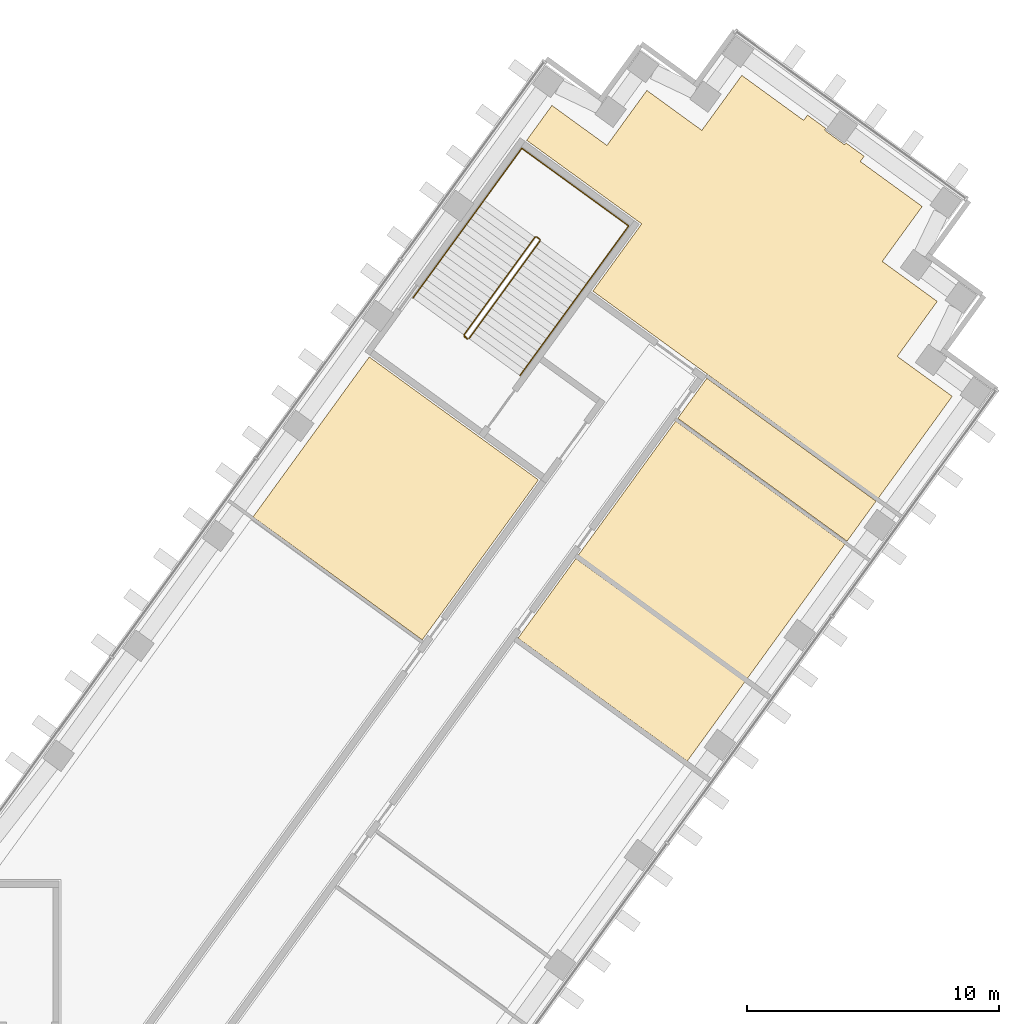
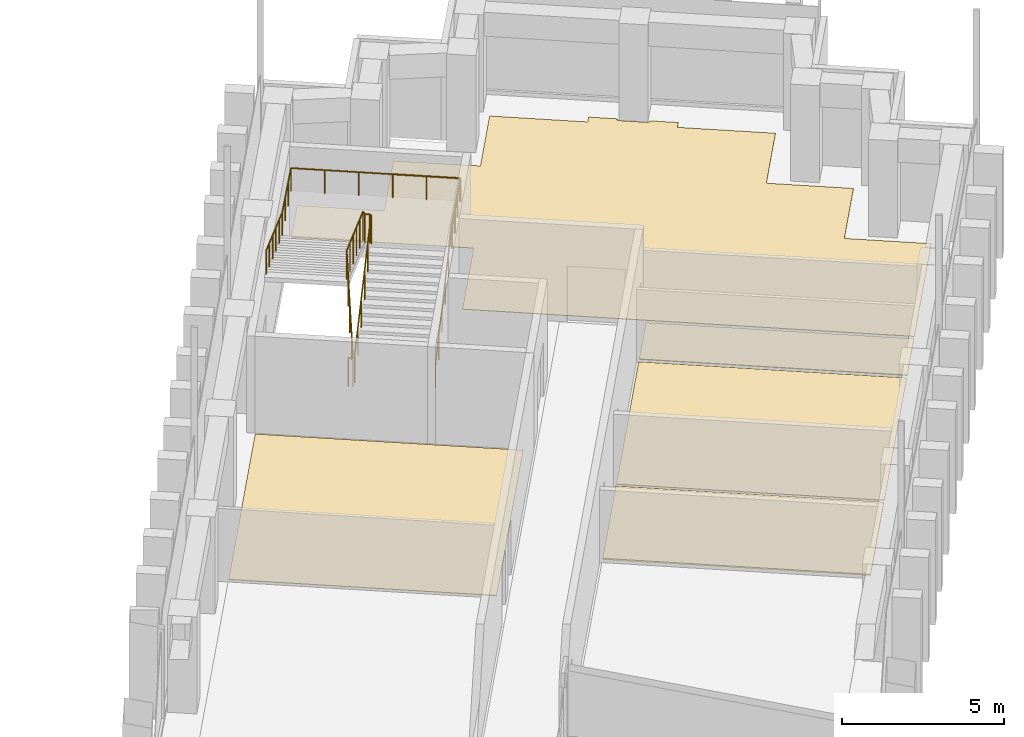
# One storey, part 19 of 19: 5 coverings, 2 railings.
"""IFC4 building model written with IfcOpenShell, lengths in metres."""

from ifc_helpers import new_model, si_unit, direction, frame, origin, origin_2d, place, context, subcontext, project, spatial, polyline, circle, outline, extrude, material, layer, layer_set, type_object, element, save


model = new_model("IFC4")

# Units and contexts
model_context = context("Model", 3, precision=1e-05, world=origin(), true_north=direction((0.0, 1.0)))
body_context = subcontext(model_context, "Body", "Model", "MODEL_VIEW")
ifc_project = project(units=[si_unit("LENGTHUNIT", "METRE"), si_unit("AREAUNIT", "SQUARE_METRE"), si_unit("VOLUMEUNIT", "CUBIC_METRE"), si_unit("PLANEANGLEUNIT", "RADIAN"), si_unit("MASSUNIT", "GRAM", prefix="KILO")], contexts=[model_context])

# Site, building, storey
site_placement = place(None, origin())
site = spatial("IfcSite", under=ifc_project, at=site_placement, CompositionType="ELEMENT")
building_placement = place(site_placement, origin())
building = spatial("IfcBuilding", under=site, at=building_placement, Name="Quipu Civic Tower", CompositionType="ELEMENT")
storey_placement = place(building_placement, frame((0.0, 0.0, 35.0)))
storey = spatial("IfcBuildingStorey", under=building, at=storey_placement, Name="L07", CompositionType="ELEMENT", Elevation=35.0)

# Coverings
ifc_material_1 = material(Name="Carpet tile on raised access floor")
ifc_layer_1 = layer(ifc_material_1, 0.02001953125)
ifc_layer_set_1 = layer_set([ifc_layer_1], Name="Carpet tile on raised access floor")
covering_type_1 = type_object("IfcCoveringType", Name="Carpet tile floor finish 20", PredefinedType="FLOORING", material=ifc_layer_set_1)
covering_1_placement = place(storey_placement, origin())
element("IfcCovering", 1, at=covering_1_placement, inside=storey, type_object=covering_type_1, Name="Carpet tile floor finish 20", PredefinedType="FLOORING", context=body_context, shape_type="SweptSolid", body=[
    extrude(outline(polyline([(25.698974609375, 24.56689453125), (30.31494140625, 30.922119140625), (37.0380859375, 26.0380859375), (32.422119140625, 19.68310546875), (25.698974609375, 24.56689453125)])), origin(), (0.0, 0.0, 1.0), 0.02001953125),
])
covering_2_placement = place(storey_placement, origin())
element("IfcCovering", 2, at=covering_2_placement, inside=storey, type_object=covering_type_1, Name="Carpet tile floor finish 20", PredefinedType="FLOORING", context=body_context, shape_type="SweptSolid", body=[
    extrude(outline(polyline([(38.60791015625, 23.02490234375), (42.491943359375, 28.373046875), (49.216064453125, 23.489013671875), (45.3310546875, 18.14111328125), (38.60791015625, 23.02490234375)])), origin(), (0.0, 0.0, 1.0), 0.02001953125),
])
covering_3_placement = place(storey_placement, origin())
element("IfcCovering", 3, at=covering_3_placement, inside=storey, type_object=covering_type_1, Name="Carpet tile floor finish 20", PredefinedType="FLOORING", context=body_context, shape_type="SweptSolid", body=[
    extrude(outline(polyline([(36.570068359375, 39.530029296875), (37.574951171875, 40.9130859375), (39.760009765625, 39.326904296875), (41.345947265625, 41.510986328125), (43.530029296875, 39.925048828125), (45.116943359375, 42.10791015625), (47.574951171875, 40.322021484375), (47.72900390625, 40.531982421875), (48.449951171875, 40.008056640625), (48.427001953125, 39.97705078125), (48.424072265625, 39.972900390625), (48.422119140625, 39.968017578125), (48.419921875, 39.964111328125), (48.4189453125, 39.958984375), (48.41796875, 39.9541015625), (48.4169921875, 39.948974609375), (48.4169921875, 39.944091796875), (48.41796875, 39.93994140625), (48.4189453125, 39.93505859375), (48.419921875, 39.929931640625), (48.422119140625, 39.926025390625), (48.425048828125, 39.9208984375), (48.427001953125, 39.9169921875), (48.430908203125, 39.9130859375), (48.43408203125, 39.909912109375), (48.43798828125, 39.906982421875), (49.166015625, 39.3779296875), (49.169921875, 39.375), (49.174072265625, 39.373046875), (49.178955078125, 39.37109375), (49.18408203125, 39.3701171875), (49.18896484375, 39.368896484375), (49.193115234375, 39.367919921875), (49.197998046875, 39.367919921875), (49.202880859375, 39.368896484375), (49.2080078125, 39.3701171875), (49.212890625, 39.37109375), (49.217041015625, 39.373046875), (49.220947265625, 39.3759765625), (49.22607421875, 39.3779296875), (49.22900390625, 39.382080078125), (49.23291015625, 39.385009765625), (49.236083984375, 39.388916015625), (49.259033203125, 39.4208984375), (49.97900390625, 38.89697265625), (49.826904296875, 38.68603515625), (52.284912109375, 36.90087890625), (50.698974609375, 34.717041015625), (52.883056640625, 33.12890625), (51.297119140625, 30.945068359375), (53.47998046875, 29.35791015625), (50.535888671875, 25.304931640625), (39.200927734375, 33.5390625), (41.139892578125, 36.208984375), (36.570068359375, 39.530029296875)])), origin(), (0.0, 0.0, 1.0), 0.02001953125),
])
ifc_material_2 = material(Name="Ceramic floor tile")
ifc_layer_2 = layer(ifc_material_2, 0.030029296875)
ifc_layer_set_2 = layer_set([ifc_layer_2], Name="Ceramic floor tile")
covering_type_2 = type_object("IfcCoveringType", Name="Ceramic tile floor finish 30", PredefinedType="FLOORING", material=ifc_layer_set_2)
covering_4_placement = place(storey_placement, origin())
element("IfcCovering", 4, at=covering_4_placement, inside=storey, type_object=covering_type_2, Name="Ceramic tile floor finish 30", PredefinedType="FLOORING", context=body_context, shape_type="SweptSolid", body=[
    extrude(outline(polyline([(42.574951171875, 28.486083984375), (43.72998046875, 30.075927734375), (50.452880859375, 25.19189453125), (49.299072265625, 23.60205078125), (42.574951171875, 28.486083984375)])), origin(), (0.0, 0.0, 1.0), 0.030029296875),
])
ifc_material_3 = material(Name="Sealed cement screed")
ifc_layer_3 = layer(ifc_material_3, 0.050048828125)
ifc_layer_set_3 = layer_set([ifc_layer_3], Name="Sealed cement screed")
covering_type_3 = type_object("IfcCoveringType", Name="Sealed screed floor finish 50", PredefinedType="FLOORING", material=ifc_layer_set_3)
covering_5_placement = place(storey_placement, origin())
element("IfcCovering", 5, at=covering_5_placement, inside=storey, type_object=covering_type_3, Name="Sealed screed floor finish 50", PredefinedType="FLOORING", context=body_context, shape_type="SweptSolid", body=[
    extrude(outline(polyline([(36.22705078125, 19.748046875), (38.52490234375, 22.912109375), (45.248046875, 18.028076171875), (42.950927734375, 14.864990234375), (36.22705078125, 19.748046875)])), origin(), (0.0, 0.0, 1.0), 0.050048828125),
])

# Railings
ifc_material_4 = material(Name="Stainless steel", Category="steel")
railing_type_1 = type_object("IfcRailingType", Name="Stair guard 1100", PredefinedType="GUARDRAIL", material=ifc_material_4)
railing_1_placement = place(storey_placement, frame((34.28125, 31.650390625, 0.11767578125)))
element("IfcRailing", 6, at=railing_1_placement, inside=storey, type_object=railing_type_1, Name="Stair 7 guard", PredefinedType="GUARDRAIL", context=body_context, shape_type="SweptSolid", body=[
    extrude(circle(Radius=0.02392578125, at=origin_2d()), frame((0.0, 0.0, 1.076171875), z_axis=(0.54720100349, 0.753182689643, 0.365084781664), x_axis=(-0.809026317077, 0.587772420479, 0.0)), (0.0, 0.0, 1.0), 5.15576171875),
    extrude(circle(Radius=0.02392578125, at=origin_2d()), frame((2.8212890625, 3.88330078125, 2.95849609375), z_axis=(-0.155430446612, 0.987846838465, 0.0), x_axis=(-0.987846838465, -0.155430446612, 0.0)), (0.0, 0.0, 1.0), 0.07080078125),
    extrude(circle(Radius=0.02392578125, at=origin_2d()), frame((2.810302734375, 3.953125, 2.95849609375), z_axis=(-0.809649071907, 0.586914287065, 0.0), x_axis=(-0.586914287065, -0.809649071907, 0.0)), (0.0, 0.0, 1.0), 0.150146484375),
    extrude(circle(Radius=0.02392578125, at=origin_2d()), frame((2.688720703125, 4.041259765625, 2.95849609375), z_axis=(-0.508654480474, -0.080033047627, 0.857242865693), x_axis=(0.155430446612, -0.987846838465, 0.0)), (0.0, 0.0, 1.0), 0.13720703125),
    extrude(circle(Radius=0.02392578125, at=origin_2d()), frame((2.618896484375, 4.0302734375, 3.076171875), z_axis=(-0.54720100349, -0.753182689643, 0.365084781664), x_axis=(0.809026317077, -0.587772420479, 0.0)), (0.0, 0.0, 1.0), 5.15576171875),
    extrude(circle(Radius=0.02392578125, at=origin_2d()), frame((-0.202392578125, 0.14697265625, 4.95849609375), z_axis=(0.033037246672, -0.039437451286, -0.998675737048), x_axis=(0.766567769536, 0.642163417448, 0.0)), (0.0, 0.0, 1.0), 4.00537109375),
    extrude(circle(Radius=0.02392578125, at=origin_2d()), frame((-0.070068359375, -0.010986328125, 0.95849609375), z_axis=(-0.809087927272, 0.587687609145, 0.0), x_axis=(-0.587687609145, -0.809087927272, 0.0)), (0.0, 0.0, 1.0), 0.14990234375),
    extrude(circle(Radius=0.02099609375, at=origin_2d()), origin(), (0.0, 0.0, 1.0), 1.052001953125),
    extrude(circle(Radius=0.02099609375, at=origin_2d()), frame((0.564208984375, 0.776611328125, 0.37646484375)), (0.0, 0.0, 1.0), 1.052001953125),
    extrude(circle(Radius=0.02099609375, at=origin_2d()), frame((1.12841796875, 1.55322265625, 0.7529296875)), (0.0, 0.0, 1.0), 1.052001953125),
    extrude(circle(Radius=0.02099609375, at=origin_2d()), frame((1.69287109375, 2.330078125, 1.12939453125)), (0.0, 0.0, 1.0), 1.052001953125),
    extrude(circle(Radius=0.02099609375, at=origin_2d()), frame((2.257080078125, 3.106689453125, 1.505859375)), (0.0, 0.0, 1.0), 1.052001953125),
    extrude(circle(Radius=0.02099609375, at=origin_2d()), frame((2.8212890625, 3.88330078125, 1.88232421875)), (0.0, 0.0, 1.0), 1.052001953125),
    extrude(circle(Radius=0.02099609375, at=origin_2d()), frame((2.810302734375, 3.953125, 1.88232421875)), (0.0, 0.0, 1.0), 1.052001953125),
    extrude(circle(Radius=0.02099609375, at=origin_2d()), frame((2.688720703125, 4.041259765625, 1.88232421875)), (0.0, 0.0, 1.0), 1.052001953125),
    extrude(circle(Radius=0.02099609375, at=origin_2d()), frame((2.618896484375, 4.0302734375, 2.0)), (0.0, 0.0, 1.0), 1.052001953125),
    extrude(circle(Radius=0.02099609375, at=origin_2d()), frame((2.0546875, 3.253662109375, 2.37646484375)), (0.0, 0.0, 1.0), 1.052001953125),
    extrude(circle(Radius=0.02099609375, at=origin_2d()), frame((1.490478515625, 2.47705078125, 2.7529296875)), (0.0, 0.0, 1.0), 1.052001953125),
    extrude(circle(Radius=0.02099609375, at=origin_2d()), frame((0.926025390625, 1.7001953125, 3.12939453125)), (0.0, 0.0, 1.0), 1.052001953125),
    extrude(circle(Radius=0.02099609375, at=origin_2d()), frame((0.36181640625, 0.923583984375, 3.505859375)), (0.0, 0.0, 1.0), 1.052001953125),
    extrude(circle(Radius=0.02099609375, at=origin_2d()), frame((-0.202392578125, 0.14697265625, 3.88232421875)), (0.0, 0.0, 1.0), 1.052001953125),
    extrude(circle(Radius=0.02099609375, at=origin_2d()), frame((-0.16943359375, 0.107421875, 2.88232421875)), (0.0, 0.0, 1.0), 1.052001953125),
    extrude(circle(Radius=0.02099609375, at=origin_2d()), frame((-0.13623046875, 0.06787109375, 1.88232421875)), (0.0, 0.0, 1.0), 1.052001953125),
    extrude(circle(Radius=0.02099609375, at=origin_2d()), frame((-0.10302734375, 0.028564453125, 0.88232421875)), (0.0, 0.0, 1.0), 1.052001953125),
    extrude(circle(Radius=0.02099609375, at=origin_2d()), frame((-0.070068359375, -0.010986328125, -0.11767578125)), (0.0, 0.0, 1.0), 1.052001953125),
    extrude(circle(Radius=0.02099609375, at=origin_2d()), frame((-0.19140625, 0.0771484375, -0.11767578125)), (0.0, 0.0, 1.0), 1.052001953125),
])
ifc_material_5 = material(Name="Stainless steel", Category="steel")
railing_type_2 = type_object("IfcRailingType", Name="Stair handrail", PredefinedType="HANDRAIL", material=ifc_material_5)
railing_2_placement = place(storey_placement, frame((36.3037109375, 30.180908203125, 0.11767578125)))
element("IfcRailing", 7, at=railing_2_placement, inside=storey, type_object=railing_type_2, Name="Stair 7 handrail", PredefinedType="HANDRAIL", context=body_context, shape_type="SweptSolid", body=[
    extrude(circle(Radius=0.02392578125, at=origin_2d()), frame((0.0, 0.0, 0.8759765625), z_axis=(0.54720100349, 0.753182689643, 0.365084781664), x_axis=(-0.809026317077, 0.587772420479, 0.0)), (0.0, 0.0, 1.0), 5.15576171875),
    extrude(circle(Radius=0.02392578125, at=origin_2d()), frame((2.8212890625, 3.88330078125, 2.75830078125), z_axis=(0.587767432704, 0.809029940764, 0.0), x_axis=(-0.809029940764, 0.587767432704, 0.0)), (0.0, 0.0, 1.0), 2.550048828125),
    extrude(circle(Radius=0.02392578125, at=origin_2d()), frame((4.320068359375, 5.9462890625, 2.75830078125), z_axis=(-0.809009483706, 0.587795589702, 0.0), x_axis=(-0.587795589702, -0.809009483706, 0.0)), (0.0, 0.0, 1.0), 5.25),
    extrude(circle(Radius=0.02392578125, at=origin_2d()), frame((0.07275390625, 9.0322265625, 2.75830078125), z_axis=(-0.587142558822, -0.808169835812, 0.046099155132), x_axis=(0.809029940764, -0.587767432704, 0.0)), (0.0, 0.0, 1.0), 2.552734375),
    extrude(circle(Radius=0.02392578125, at=origin_2d()), frame((-1.426025390625, 6.96923828125, 2.8759765625), z_axis=(-0.54720100349, -0.753182689643, 0.365084781664), x_axis=(0.809026317077, -0.587772420479, 0.0)), (0.0, 0.0, 1.0), 5.15576171875),
    extrude(circle(Radius=0.02099609375, at=origin_2d()), origin(), (0.0, 0.0, 1.0), 0.851806640625),
    extrude(circle(Radius=0.02099609375, at=origin_2d()), frame((0.564208984375, 0.776611328125, 0.37646484375)), (0.0, 0.0, 1.0), 0.851806640625),
    extrude(circle(Radius=0.02099609375, at=origin_2d()), frame((1.12841796875, 1.55322265625, 0.7529296875)), (0.0, 0.0, 1.0), 0.851806640625),
    extrude(circle(Radius=0.02099609375, at=origin_2d()), frame((1.69287109375, 2.330078125, 1.12939453125)), (0.0, 0.0, 1.0), 0.851806640625),
    extrude(circle(Radius=0.02099609375, at=origin_2d()), frame((2.257080078125, 3.106689453125, 1.505859375)), (0.0, 0.0, 1.0), 0.851806640625),
    extrude(circle(Radius=0.02099609375, at=origin_2d()), frame((2.8212890625, 3.88330078125, 1.88232421875)), (0.0, 0.0, 1.0), 0.851806640625),
    extrude(circle(Radius=0.02099609375, at=origin_2d()), frame((3.32080078125, 4.571044921875, 1.88232421875)), (0.0, 0.0, 1.0), 0.851806640625),
    extrude(circle(Radius=0.02099609375, at=origin_2d()), frame((3.820556640625, 5.258544921875, 1.88232421875)), (0.0, 0.0, 1.0), 0.851806640625),
    extrude(circle(Radius=0.02099609375, at=origin_2d()), frame((4.320068359375, 5.9462890625, 1.88232421875)), (0.0, 0.0, 1.0), 0.851806640625),
    extrude(circle(Radius=0.02099609375, at=origin_2d()), frame((3.470703125, 6.5634765625, 1.88232421875)), (0.0, 0.0, 1.0), 0.851806640625),
    extrude(circle(Radius=0.02099609375, at=origin_2d()), frame((2.62109375, 7.1806640625, 1.88232421875)), (0.0, 0.0, 1.0), 0.851806640625),
    extrude(circle(Radius=0.02099609375, at=origin_2d()), frame((1.771728515625, 7.7978515625, 1.88232421875)), (0.0, 0.0, 1.0), 0.851806640625),
    extrude(circle(Radius=0.02099609375, at=origin_2d()), frame((0.922119140625, 8.4150390625, 1.88232421875)), (0.0, 0.0, 1.0), 0.851806640625),
    extrude(circle(Radius=0.02099609375, at=origin_2d()), frame((0.07275390625, 9.0322265625, 1.88232421875)), (0.0, 0.0, 1.0), 0.851806640625),
    extrude(circle(Radius=0.02099609375, at=origin_2d()), frame((-0.4267578125, 8.344482421875, 1.921630859375)), (0.0, 0.0, 1.0), 0.851806640625),
    extrude(circle(Radius=0.02099609375, at=origin_2d()), frame((-0.926513671875, 7.656982421875, 1.960693359375)), (0.0, 0.0, 1.0), 0.851806640625),
    extrude(circle(Radius=0.02099609375, at=origin_2d()), frame((-1.426025390625, 6.96923828125, 2.0)), (0.0, 0.0, 1.0), 0.851806640625),
    extrude(circle(Radius=0.02099609375, at=origin_2d()), frame((-1.990234375, 6.192626953125, 2.37646484375)), (0.0, 0.0, 1.0), 0.851806640625),
    extrude(circle(Radius=0.02099609375, at=origin_2d()), frame((-2.554443359375, 5.416015625, 2.7529296875)), (0.0, 0.0, 1.0), 0.851806640625),
    extrude(circle(Radius=0.02099609375, at=origin_2d()), frame((-3.118896484375, 4.63916015625, 3.12939453125)), (0.0, 0.0, 1.0), 0.851806640625),
    extrude(circle(Radius=0.02099609375, at=origin_2d()), frame((-3.68310546875, 3.862548828125, 3.505859375)), (0.0, 0.0, 1.0), 0.851806640625),
    extrude(circle(Radius=0.02099609375, at=origin_2d()), frame((-4.247314453125, 3.0859375, 3.88232421875)), (0.0, 0.0, 1.0), 0.851806640625),
])

save(model, "model.ifc")
